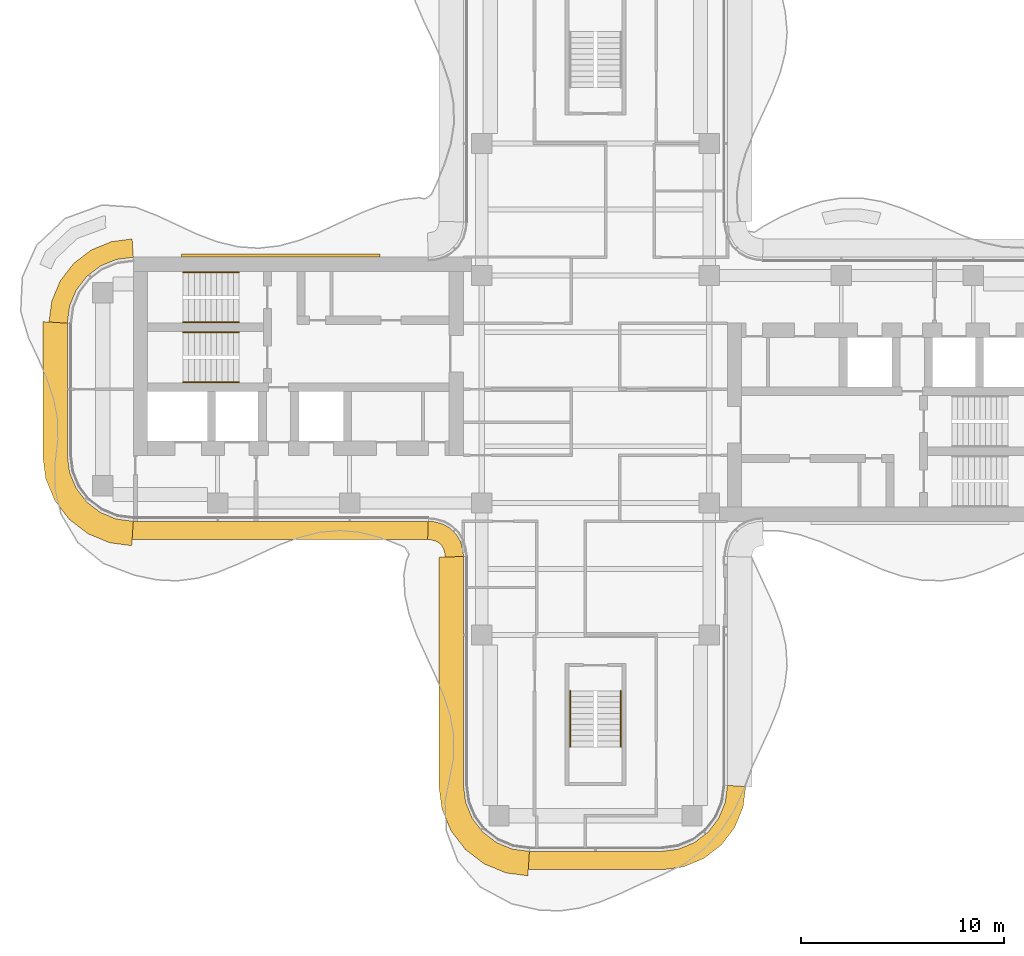
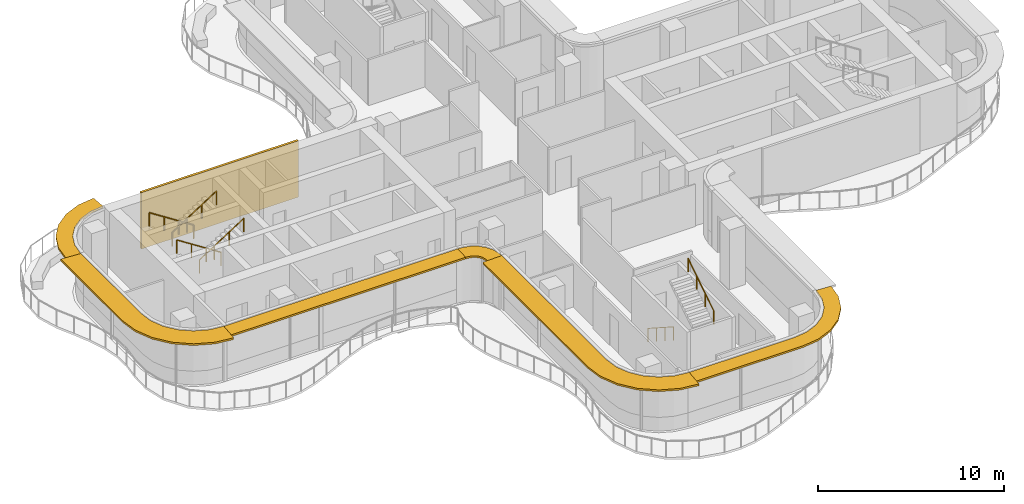
# One storey, part 16 of 17: 6 railings, 6 shading devices, 1 covering.
"""IFC4 building model written with IfcOpenShell, lengths in metres."""

from ifc_helpers import new_model, si_unit, direction, frame, origin, origin_2d, place, context, subcontext, project, spatial, polyline, circle, outline, extrude, source, transform, mapped, material, layer, layer_set, type_object, element, save


model = new_model("IFC4")

# Units and contexts
model_context = context("Model", 3, precision=1e-05, world=origin(), true_north=direction((0.0, 1.0)))
body_context = subcontext(model_context, "Body", "Model", "MODEL_VIEW")
ifc_project = project(units=[si_unit("LENGTHUNIT", "METRE"), si_unit("AREAUNIT", "SQUARE_METRE"), si_unit("VOLUMEUNIT", "CUBIC_METRE"), si_unit("PLANEANGLEUNIT", "RADIAN"), si_unit("MASSUNIT", "GRAM", prefix="KILO")], contexts=[model_context])

# Site, building, storey
site_placement = place(None, origin())
site = spatial("IfcSite", under=ifc_project, at=site_placement, CompositionType="ELEMENT")
building_placement = place(site_placement, origin())
building = spatial("IfcBuilding", under=site, at=building_placement, Name="Trellis Farm Tower", CompositionType="ELEMENT")
storey_placement = place(building_placement, frame((0.0, 0.0, 283.300048828125)))
storey = spatial("IfcBuildingStorey", under=building, at=storey_placement, Name="L63", CompositionType="ELEMENT", Elevation=283.300048828125)

# Railings
ifc_material_1 = material(Name="Stainless steel", Category="steel")
railing_type = type_object("IfcRailingType", Name="STAIR HANDRAIL 900", PredefinedType="HANDRAIL", material=ifc_material_1)
shared_shape_1 = source(origin(), body_context, "Body", "SweptSolid", [
    extrude(circle(Radius=0.02392578125, at=origin_2d()), frame((0.0, 0.0, 0.8759765625), z_axis=(0.0, 0.840503830235, 0.541805602924), x_axis=(-1.0, 0.0, 0.0)), (0.0, 0.0, 1.0), 3.271728515625),
    extrude(circle(Radius=0.02099609375, at=origin_2d()), origin(), (0.0, 0.0, 1.0), 0.851806640625),
    extrude(circle(Radius=0.02099609375, at=origin_2d()), frame((0.0, 0.916748046875, 0.5908203125)), (0.0, 0.0, 1.0), 0.851806640625),
    extrude(circle(Radius=0.02099609375, at=origin_2d()), frame((0.0, 1.833251953125, 1.181884765625)), (0.0, 0.0, 1.0), 0.851806640625),
    extrude(circle(Radius=0.02099609375, at=origin_2d()), frame((0.0, 2.75, 1.772705078125)), (0.0, 0.0, 1.0), 0.851806640625),
])
railing_1_placement = place(storey_placement, frame((1.25, -17.60009765625, 2.127197265625)))
element("IfcRailing", 1, at=railing_1_placement, inside=storey, type_object=railing_type, Name="Stair handrail", PredefinedType="HANDRAIL", context=body_context, shape_type="MappedRepresentation", body=[
    mapped(shared_shape_1, transform((0.0, 0.0, 0.0))),
])
shared_shape_2 = source(origin(), body_context, "Body", "SweptSolid", [
    extrude(circle(Radius=0.02392578125, at=origin_2d()), frame((0.0, 0.0, 0.8759765625), z_axis=(0.0, -0.840503830235, 0.541805602924), x_axis=(1.0, 0.0, 0.0)), (0.0, 0.0, 1.0), 3.271728515625),
    extrude(circle(Radius=0.02099609375, at=origin_2d()), origin(), (0.0, 0.0, 1.0), 0.851806640625),
    extrude(circle(Radius=0.02099609375, at=origin_2d()), frame((0.0, -0.916748046875, 0.5908203125)), (0.0, 0.0, 1.0), 0.851806640625),
    extrude(circle(Radius=0.02099609375, at=origin_2d()), frame((0.0, -1.833251953125, 1.181884765625)), (0.0, 0.0, 1.0), 0.851806640625),
    extrude(circle(Radius=0.02099609375, at=origin_2d()), frame((0.0, -2.75, 1.772705078125)), (0.0, 0.0, 1.0), 0.851806640625),
])
railing_2_placement = place(storey_placement, frame((-1.25, -14.85009765625, 0.17724609375)))
element("IfcRailing", 2, at=railing_2_placement, inside=storey, type_object=railing_type, Name="Stair handrail", PredefinedType="HANDRAIL", context=body_context, shape_type="MappedRepresentation", body=[
    mapped(shared_shape_2, transform((0.0, 0.0, 0.0))),
])
shared_shape_3 = source(origin(), body_context, "Body", "SweptSolid", [
    extrude(circle(Radius=0.02392578125, at=origin_2d()), frame((0.0, 0.0, 0.8759765625), z_axis=(0.840503830235, 0.0, 0.541805602924), x_axis=(0.0, 1.0, 0.0)), (0.0, 0.0, 1.0), 3.271728515625),
    extrude(circle(Radius=0.02099609375, at=origin_2d()), origin(), (0.0, 0.0, 1.0), 0.851806640625),
    extrude(circle(Radius=0.02099609375, at=origin_2d()), frame((0.916748046875, 0.0, 0.5908203125)), (0.0, 0.0, 1.0), 0.851806640625),
    extrude(circle(Radius=0.02099609375, at=origin_2d()), frame((1.833251953125, 0.0, 1.181884765625)), (0.0, 0.0, 1.0), 0.851806640625),
    extrude(circle(Radius=0.02099609375, at=origin_2d()), frame((2.75, 0.0, 1.772705078125)), (0.0, 0.0, 1.0), 0.851806640625),
])
for number, where, name in (
    (3, (-20.300048828125, 3.300048828125, 2.127197265625), "Stair handrail"),
    (4, (-20.300048828125, 0.35009765625, 2.127197265625), "Stair handrail"),
):
    element("IfcRailing", number, at=place(storey_placement, frame(where)), inside=storey, type_object=railing_type, Name=name, PredefinedType="HANDRAIL", context=body_context, shape_type="MappedRepresentation", body=[
        mapped(shared_shape_3, transform((0.0, 0.0, 0.0))),
    ])
shared_shape_4 = source(origin(), body_context, "Body", "SweptSolid", [
    extrude(circle(Radius=0.02392578125, at=origin_2d()), frame((0.0, 0.0, 0.8759765625), z_axis=(-0.840503830235, 0.0, 0.541805602924), x_axis=(0.0, -1.0, 0.0)), (0.0, 0.0, 1.0), 3.271728515625),
    extrude(circle(Radius=0.02099609375, at=origin_2d()), origin(), (0.0, 0.0, 1.0), 0.851806640625),
    extrude(circle(Radius=0.02099609375, at=origin_2d()), frame((-0.916748046875, 0.0, 0.5908203125)), (0.0, 0.0, 1.0), 0.851806640625),
    extrude(circle(Radius=0.02099609375, at=origin_2d()), frame((-1.833251953125, 0.0, 1.181884765625)), (0.0, 0.0, 1.0), 0.851806640625),
    extrude(circle(Radius=0.02099609375, at=origin_2d()), frame((-2.75, 0.0, 1.772705078125)), (0.0, 0.0, 1.0), 0.851806640625),
])
for number, where, name in (
    (5, (-17.550048828125, 5.75, 0.17724609375), "Stair handrail"),
    (6, (-17.550048828125, 2.800048828125, 0.17724609375), "Stair handrail"),
):
    element("IfcRailing", number, at=place(storey_placement, frame(where)), inside=storey, type_object=railing_type, Name=name, PredefinedType="HANDRAIL", context=body_context, shape_type="MappedRepresentation", body=[
        mapped(shared_shape_4, transform((0.0, 0.0, 0.0))),
    ])

# Shading devices
ifc_material_2 = material(Name="Aluminium extrusion 6063-T6", Category="aluminium")
ifc_layer_1 = layer(ifc_material_2, 0.1201171875)
ifc_layer_set_1 = layer_set([ifc_layer_1], Name="SUNSHADE BLADE 900")
shading_device_type_1 = type_object("IfcShadingDeviceType", Name="SUNSHADE BLADE 900", PredefinedType="USERDEFINED", material=ifc_layer_set_1)
shared_shape_5 = source(origin(), body_context, "Body", "SweptSolid", [
    extrude(outline(polyline([(-8.2607421875, -7.39990234375), (-8.107666015625, -7.409912109375), (-8.091552734375, -7.412109375), (-7.85595703125, -7.475341796875), (-7.697021484375, -7.567138671875), (-7.567138671875, -7.697021484375), (-7.475341796875, -7.85595703125), (-7.412109375, -8.091552734375), (-7.409912109375, -8.107666015625), (-7.39990234375, -8.2607421875), (-6.5, -8.2314453125), (-6.513916015625, -8.01953125), (-6.527587890625, -7.91552734375), (-6.63671875, -7.508544921875), (-6.846923828125, -7.144287109375), (-7.144287109375, -6.846923828125), (-7.508544921875, -6.63671875), (-7.91552734375, -6.527587890625), (-8.01953125, -6.513916015625), (-8.2314453125, -6.5), (-8.2607421875, -7.39990234375)])), origin(), (0.0, 0.0, 1.0), 0.119873046875),
])
placement = place(storey_placement, frame((0.0, 0.0, 3.5400390625)))
element("IfcShadingDevice", 7, at=placement, inside=storey, type_object=shading_device_type_1, Name="SD1 002", ObjectType="SUNSHADE", PredefinedType="USERDEFINED", context=body_context, shape_type="MappedRepresentation", body=[
    mapped(shared_shape_5, transform((0.0, 0.0, 0.0))),
])
ifc_layer_2 = layer(ifc_material_2, 0.1201171875)
ifc_layer_set_2 = layer_set([ifc_layer_2], Name="SUNSHADE BLADE 1200")
shading_device_type_2 = type_object("IfcShadingDeviceType", Name="SUNSHADE BLADE 1200", PredefinedType="USERDEFINED", material=ifc_layer_set_2)
shared_shape_6 = source(origin(), body_context, "Body", "SweptSolid", [
    extrude(outline(polyline([(-7.699951171875, -8.270751953125), (-7.699951171875, -19.57861328125), (-7.558349609375, -20.654541015625), (-7.11279296875, -21.730224609375), (-6.404052734375, -22.654052734375), (-5.480224609375, -23.36279296875), (-4.404541015625, -23.808349609375), (-3.32861328125, -23.949951171875), (-3.25, -22.75), (-4.091064453125, -22.63916015625), (-4.875, -22.314697265625), (-5.548095703125, -21.798095703125), (-6.064697265625, -21.125), (-6.38916015625, -20.341064453125), (-6.5, -19.5), (-6.5, -8.2314453125), (-7.699951171875, -8.270751953125)])), origin(), (0.0, 0.0, 1.0), 0.119873046875),
])
element("IfcShadingDevice", 8, at=placement, inside=storey, type_object=shading_device_type_2, Name="SD2 003", ObjectType="SUNSHADE", PredefinedType="USERDEFINED", context=body_context, shape_type="MappedRepresentation", body=[
    mapped(shared_shape_6, transform((0.0, 0.0, 0.0))),
])
shared_shape_7 = source(origin(), body_context, "Body", "SweptSolid", [
    extrude(outline(polyline([(-3.30908203125, -23.64990234375), (3.30908203125, -23.64990234375), (4.326171875, -23.51611328125), (5.328857421875, -23.100830078125), (6.18994140625, -22.43994140625), (6.850830078125, -21.578857421875), (7.26611328125, -20.576171875), (7.39990234375, -19.55908203125), (6.5, -19.5), (6.38916015625, -20.341064453125), (6.064697265625, -21.125), (5.548095703125, -21.798095703125), (4.875, -22.314697265625), (4.091064453125, -22.63916015625), (3.25, -22.75), (-3.25, -22.75), (-3.30908203125, -23.64990234375)])), origin(), (0.0, 0.0, 1.0), 0.119873046875),
])
element("IfcShadingDevice", 9, at=placement, inside=storey, type_object=shading_device_type_1, Name="SD1 004", ObjectType="SUNSHADE", PredefinedType="USERDEFINED", context=body_context, shape_type="MappedRepresentation", body=[
    mapped(shared_shape_7, transform((0.0, 0.0, 0.0))),
])

# Covering
ifc_material_3 = material(Name="Perforated precast screen (cobogo)", Category="concrete")
ifc_layer_3 = layer(ifc_material_3, 0.14990234375)
ifc_layer_set_3 = layer_set([ifc_layer_3], Name="COBOGO SCREEN PANEL")
covering_type = type_object("IfcCoveringType", Name="COBOGO SCREEN PANEL", PredefinedType="USERDEFINED", material=ifc_layer_set_3)
shared_shape_8 = source(origin(), body_context, "Body", "SweptSolid", [
    extrude(outline(polyline([(-10.61572265625, 6.64990234375), (-20.36572265625, 6.64990234375), (-20.36572265625, 6.5), (-10.61572265625, 6.5), (-10.61572265625, 6.64990234375)])), origin(), (0.0, 0.0, 1.0), 3.699951171875),
])
covering_placement = place(storey_placement, origin())
element("IfcCovering", 10, at=covering_placement, inside=storey, type_object=covering_type, Name="SC1 02", ObjectType="SCREEN", PredefinedType="USERDEFINED", context=body_context, shape_type="MappedRepresentation", body=[
    mapped(shared_shape_8, transform((0.0, 0.0, 0.0))),
])

# Shading devices
shared_shape_9 = source(origin(), body_context, "Body", "SweptSolid", [
    extrude(outline(polyline([(-22.80908203125, -7.39990234375), (-8.2607421875, -7.39990234375), (-8.2314453125, -6.5), (-22.75, -6.5), (-22.80908203125, -7.39990234375)])), origin(), (0.0, 0.0, 1.0), 0.119873046875),
])
element("IfcShadingDevice", 11, at=placement, inside=storey, type_object=shading_device_type_1, Name="SD1 001", ObjectType="SUNSHADE", PredefinedType="USERDEFINED", context=body_context, shape_type="MappedRepresentation", body=[
    mapped(shared_shape_9, transform((0.0, 0.0, 0.0))),
])
shared_shape_10 = source(origin(), body_context, "Body", "SweptSolid", [
    extrude(outline(polyline([(-22.80908203125, 7.39990234375), (-23.826171875, 7.26611328125), (-24.828857421875, 6.850830078125), (-25.68994140625, 6.18994140625), (-26.350830078125, 5.328857421875), (-26.76611328125, 4.326171875), (-26.89990234375, 3.30908203125), (-26.0, 3.25), (-25.88916015625, 4.091064453125), (-25.564697265625, 4.875), (-25.048095703125, 5.548095703125), (-24.375, 6.064697265625), (-23.591064453125, 6.38916015625), (-22.75, 6.5), (-22.80908203125, 7.39990234375)])), origin(), (0.0, 0.0, 1.0), 0.119873046875),
])
element("IfcShadingDevice", 12, at=placement, inside=storey, type_object=shading_device_type_1, Name="SD1 015", ObjectType="SUNSHADE", PredefinedType="USERDEFINED", context=body_context, shape_type="MappedRepresentation", body=[
    mapped(shared_shape_10, transform((0.0, 0.0, 0.0))),
])
shared_shape_11 = source(origin(), body_context, "Body", "SweptSolid", [
    extrude(outline(polyline([(-27.199951171875, 3.32861328125), (-27.199951171875, -3.32861328125), (-27.058349609375, -4.404541015625), (-26.61279296875, -5.480224609375), (-25.904052734375, -6.404052734375), (-24.980224609375, -7.11279296875), (-23.904541015625, -7.558349609375), (-22.82861328125, -7.699951171875), (-22.75, -6.5), (-23.591064453125, -6.38916015625), (-24.375, -6.064697265625), (-25.048095703125, -5.548095703125), (-25.564697265625, -4.875), (-25.88916015625, -4.091064453125), (-26.0, -3.25), (-26.0, 3.25), (-27.199951171875, 3.32861328125)])), origin(), (0.0, 0.0, 1.0), 0.119873046875),
])
element("IfcShadingDevice", 13, at=placement, inside=storey, type_object=shading_device_type_2, Name="SD2 016", ObjectType="SUNSHADE", PredefinedType="USERDEFINED", context=body_context, shape_type="MappedRepresentation", body=[
    mapped(shared_shape_11, transform((0.0, 0.0, 0.0))),
])

save(model, "model.ifc")
